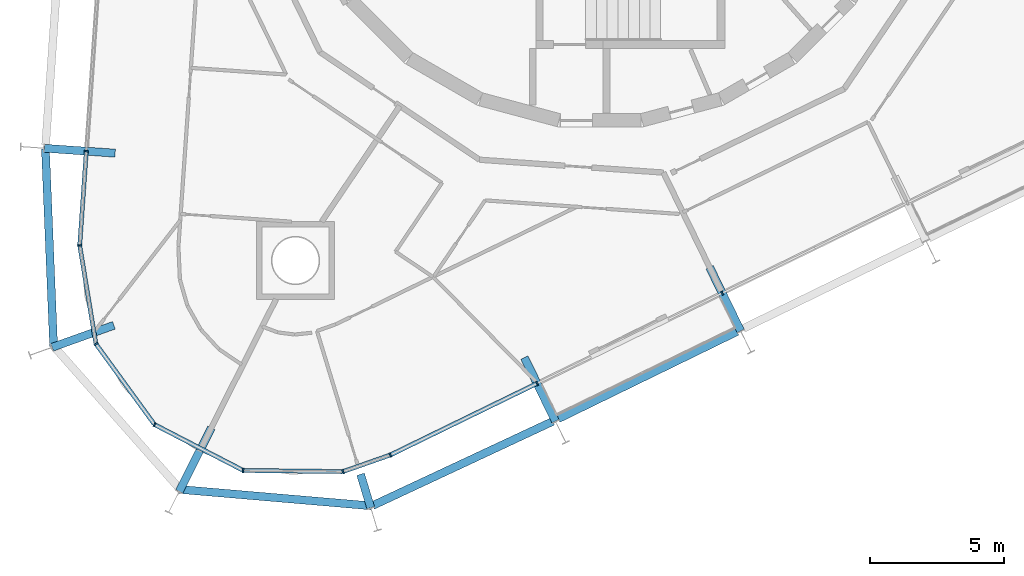
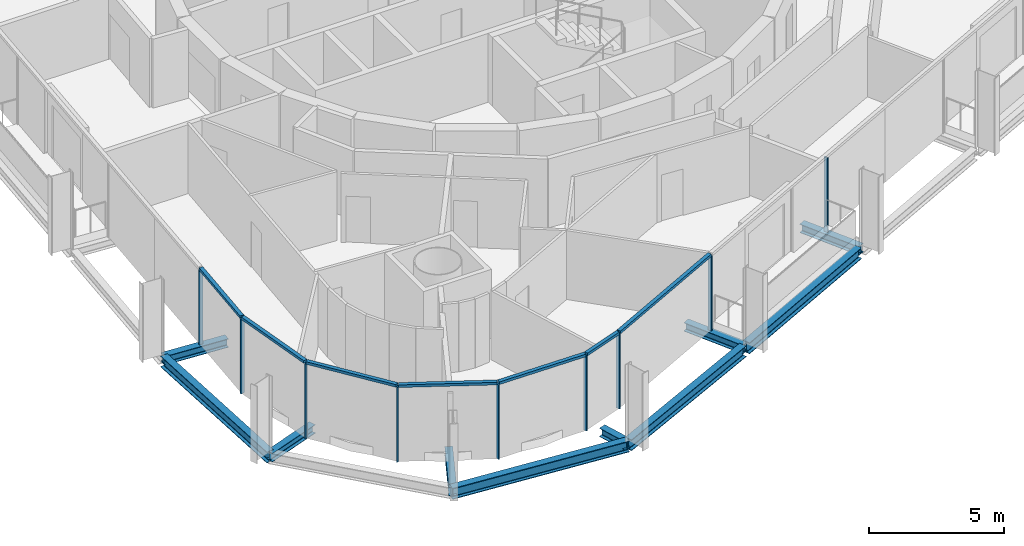
# One storey, part 2 of 17: 16 members, 10 beams, 2 elements without a shape of their own.
"""IFC4 building model written with IfcOpenShell, lengths in metres."""

from ifc_helpers import new_model, si_unit, direction, frame, origin, origin_2d, place, context, subcontext, project, spatial, rectangle, i_section, extrude, material, layer, layer_set, material_profile, profile_set, type_object, element, aggregate, save


model = new_model("IFC4")

# Units and contexts
model_context = context("Model", 3, precision=1e-05, world=origin(), true_north=direction((0.0, 1.0)))
body_context = subcontext(model_context, "Body", "Model", "MODEL_VIEW")
ifc_project = project(units=[si_unit("LENGTHUNIT", "METRE"), si_unit("AREAUNIT", "SQUARE_METRE"), si_unit("VOLUMEUNIT", "CUBIC_METRE"), si_unit("PLANEANGLEUNIT", "RADIAN"), si_unit("MASSUNIT", "GRAM", prefix="KILO")], contexts=[model_context])

# Site, building, storey
site_placement = place(None, origin())
site = spatial("IfcSite", under=ifc_project, at=site_placement, CompositionType="ELEMENT")
building_placement = place(site_placement, origin())
building = spatial("IfcBuilding", under=site, at=building_placement, Name="Spindle Arch Residences", CompositionType="ELEMENT")
storey_placement = place(building_placement, frame((0.0, 0.0, 209.39990234375)))
storey = spatial("IfcBuildingStorey", under=building, at=storey_placement, Name="L53", CompositionType="ELEMENT", Elevation=209.39990234375)

# Curtain wall, members
ifc_material_1 = material(Name="Aluminium bronze unitised frame with tinted glass", Category="aluminium")
ifc_layer_1 = layer(ifc_material_1, 0.159912109375)
ifc_layer_set_1 = layer_set([ifc_layer_1], Name="CW-D corner wall on the fillet arcs")
curtain_wall_type_1 = type_object("IfcCurtainWallType", Name="CW-D corner wall on the fillet arcs", PredefinedType="NOTDEFINED", material=ifc_layer_set_1)
curtain_wall_1_placement = place(storey_placement, origin())
curtain_wall_1 = element("IfcCurtainWall", 1, at=curtain_wall_1_placement, inside=storey, type_object=curtain_wall_type_1, Name="CW-D L53 run 5", PredefinedType="NOTDEFINED")
ifc_material_2 = material(Name="Aluminium bronze anodised mullion", Category="aluminium")
ifc_material_profile_1 = material_profile(ifc_material_2, rectangle(XDim=0.159912109375, YDim=0.06005859375, at=origin_2d()), Name="MU 60x160")
ifc_profile_set_1 = profile_set([ifc_material_profile_1], Name="Aluminium bronze anodised mullion")
member_type_1 = type_object("IfcMemberType", Name="Bronze mullion 60x160", PredefinedType="MULLION", material=ifc_profile_set_1)
member_1_placement = place(storey_placement, frame((-19.2001953125, -12.796875, -0.3798828125), z_axis=(0.0, 0.0, 1.0), x_axis=(0.99756405026, -0.069756473744, 0.0)))
member_1 = element("IfcMember", 2, at=member_1_placement, type_object=member_type_1, Name="CW-D mullion 00", PredefinedType="MULLION", context=body_context, shape_type="SweptSolid", body=[
    extrude(rectangle(XDim=0.159912109375, YDim=0.06005859375, at=origin_2d()), origin(), (0.0, 0.0, 1.0), 3.3798828125),
])
member_2_placement = place(storey_placement, frame((-19.4462890625, -16.31689453125, -0.3798828125), z_axis=(0.0, 0.0, 1.0), x_axis=(0.986761531666, 0.162177925821, 0.0)))
member_2 = element("IfcMember", 3, at=member_2_placement, type_object=member_type_1, Name="CW-D mullion 01", PredefinedType="MULLION", context=body_context, shape_type="SweptSolid", body=[
    extrude(rectangle(XDim=0.159912109375, YDim=0.06005859375, at=origin_2d()), origin(), (0.0, 0.0, 1.0), 3.3798828125),
])
member_3_placement = place(storey_placement, frame((-18.842041015625, -19.994140625, -0.3798828125), z_axis=(0.0, 0.0, 1.0), x_axis=(0.809016992641, 0.587785254679, 0.0)))
member_3 = element("IfcMember", 4, at=member_3_placement, type_object=member_type_1, Name="CW-D mullion 02", PredefinedType="MULLION", context=body_context, shape_type="SweptSolid", body=[
    extrude(rectangle(XDim=0.159912109375, YDim=0.06005859375, at=origin_2d()), origin(), (0.0, 0.0, 1.0), 3.3798828125),
])
member_4_placement = place(storey_placement, frame((-16.6513671875, -23.00927734375, -0.3798828125), z_axis=(0.0, 0.0, 1.0), x_axis=(0.459166453025, 0.88835025098, 0.0)))
member_4 = element("IfcMember", 5, at=member_4_placement, type_object=member_type_1, Name="CW-D mullion 03", PredefinedType="MULLION", context=body_context, shape_type="SweptSolid", body=[
    extrude(rectangle(XDim=0.159912109375, YDim=0.06005859375, at=origin_2d()), origin(), (0.0, 0.0, 1.0), 3.3798828125),
])
member_5_placement = place(storey_placement, frame((-13.3408203125, -24.720458984375, -0.3798828125), z_axis=(0.0, 0.0, 1.0), x_axis=(0.011635263346, 0.999932308032, 0.0)))
member_5 = element("IfcMember", 6, at=member_5_placement, type_object=member_type_1, Name="CW-D mullion 04", PredefinedType="MULLION", context=body_context, shape_type="SweptSolid", body=[
    extrude(rectangle(XDim=0.159912109375, YDim=0.06005859375, at=origin_2d()), origin(), (0.0, 0.0, 1.0), 3.3798828125),
])
member_6_placement = place(storey_placement, frame((-9.6142578125, -24.763916015625, -0.3798828125), z_axis=(0.0, 0.0, 1.0), x_axis=(-0.33106342198, 0.943608504957, 0.0)))
member_6 = element("IfcMember", 7, at=member_6_placement, type_object=member_type_1, Name="CW-D mullion 05", PredefinedType="MULLION", context=body_context, shape_type="SweptSolid", body=[
    extrude(rectangle(XDim=0.159912109375, YDim=0.06005859375, at=origin_2d()), origin(), (0.0, 0.0, 1.0), 3.3798828125),
])
member_7_placement = place(storey_placement, frame((-7.843994140625, -24.142822265625, -0.3798828125), z_axis=(0.0, 0.0, 1.0), x_axis=(-0.438371146789, 0.898794046299, 0.0)))
member_7 = element("IfcMember", 8, at=member_7_placement, type_object=member_type_1, Name="CW-D mullion 06", PredefinedType="MULLION", context=body_context, shape_type="SweptSolid", body=[
    extrude(rectangle(XDim=0.159912109375, YDim=0.06005859375, at=origin_2d()), origin(), (0.0, 0.0, 1.0), 3.3798828125),
])

ifc_material_3 = material(Name="Aluminium bronze unitised frame with tinted glass", Category="aluminium")
ifc_layer_2 = layer(ifc_material_3, 0.159912109375)
ifc_layer_set_2 = layer_set([ifc_layer_2], Name="CW-C typical residential unitised wall")
curtain_wall_type_2 = type_object("IfcCurtainWallType", Name="CW-C typical residential unitised wall", PredefinedType="NOTDEFINED", material=ifc_layer_set_2)
curtain_wall_2_placement = place(storey_placement, origin())
curtain_wall_2 = element("IfcCurtainWall", 9, at=curtain_wall_2_placement, inside=storey, type_object=curtain_wall_type_2, Name="CW-C L53 run 6", PredefinedType="NOTDEFINED")
member_8_placement = place(storey_placement, frame((-2.36767578125, -21.4716796875, -0.3798828125), z_axis=(0.0, 0.0, 1.0), x_axis=(-0.438371146789, 0.898794046299, 0.0)))
member_8 = element("IfcMember", 10, at=member_8_placement, type_object=member_type_1, Name="CW-C mullion 20", PredefinedType="MULLION", context=body_context, shape_type="SweptSolid", body=[
    extrude(rectangle(XDim=0.159912109375, YDim=0.06005859375, at=origin_2d()), origin(), (0.0, 0.0, 1.0), 3.3798828125),
])
member_9_placement = place(storey_placement, frame((4.54736328125, -18.09912109375, -0.3798828125), z_axis=(0.0, 0.0, 1.0), x_axis=(-0.438371146789, 0.898794046299, 0.0)))
member_9 = element("IfcMember", 11, at=member_9_placement, type_object=member_type_1, Name="CW-C mullion 21", PredefinedType="MULLION", context=body_context, shape_type="SweptSolid", body=[
    extrude(rectangle(XDim=0.159912109375, YDim=0.06005859375, at=origin_2d()), origin(), (0.0, 0.0, 1.0), 3.3798828125),
])
aggregate(curtain_wall_2, [member_8, member_9])

# Member
ifc_material_4 = material(Name="Aluminium bronze anodised transom", Category="aluminium")
ifc_material_profile_2 = material_profile(ifc_material_4, rectangle(XDim=0.159912109375, YDim=0.1201171875, at=origin_2d()), Name="TR 120x160")
ifc_profile_set_2 = profile_set([ifc_material_profile_2], Name="Aluminium bronze anodised transom")
member_type_2 = type_object("IfcMemberType", Name="Bronze transom 120x160", PredefinedType="USERDEFINED", material=ifc_profile_set_2)
member_10_placement = place(storey_placement, frame((-19.202392578125, -12.826904296875, 3.06005859375), z_axis=(-0.069756279092, -0.997564063871, 0.0), x_axis=(0.997564063871, -0.069756279092, 0.0)))
member_10 = element("IfcMember", 12, at=member_10_placement, type_object=member_type_2, Name="CW-D transom 00", ObjectType="TRANSOM", PredefinedType="USERDEFINED", context=body_context, shape_type="SweptSolid", body=[
    extrude(rectangle(XDim=0.159912109375, YDim=0.1201171875, at=origin_2d()), origin(), (0.0, 0.0, 1.0), 3.468505859375),
])

member_11_placement = place(storey_placement, frame((-19.44140625, -16.346435546875, 3.06005859375), z_axis=(0.162131110814, -0.986769224746, 0.0), x_axis=(0.986769224746, 0.162131110814, 0.0)))
member_11 = element("IfcMember", 13, at=member_11_placement, type_object=member_type_2, Name="CW-D transom 01", ObjectType="TRANSOM", PredefinedType="USERDEFINED", context=body_context, shape_type="SweptSolid", body=[
    extrude(rectangle(XDim=0.159912109375, YDim=0.1201171875, at=origin_2d()), origin(), (0.0, 0.0, 1.0), 3.666748046875),
])

member_12_placement = place(storey_placement, frame((-18.82421875, -20.0185546875, 3.06005859375), z_axis=(0.587807403161, -0.809000900363, 0.0), x_axis=(0.809000900363, 0.587807403161, 0.0)))
member_12 = element("IfcMember", 14, at=member_12_placement, type_object=member_type_2, Name="CW-D transom 02", ObjectType="TRANSOM", PredefinedType="USERDEFINED", context=body_context, shape_type="SweptSolid", body=[
    extrude(rectangle(XDim=0.159912109375, YDim=0.1201171875, at=origin_2d()), origin(), (0.0, 0.0, 1.0), 3.666748046875),
])

member_13_placement = place(storey_placement, frame((-16.624755859375, -23.02294921875, 3.06005859375), z_axis=(0.888327233371, -0.459210982503, 0.0), x_axis=(0.459210982503, 0.888327233371, 0.0)))
member_13 = element("IfcMember", 15, at=member_13_placement, type_object=member_type_2, Name="CW-D transom 03", ObjectType="TRANSOM", PredefinedType="USERDEFINED", context=body_context, shape_type="SweptSolid", body=[
    extrude(rectangle(XDim=0.159912109375, YDim=0.1201171875, at=origin_2d()), origin(), (0.0, 0.0, 1.0), 3.666748046875),
])

member_14_placement = place(storey_placement, frame((-13.310791015625, -24.720703125, 3.06005859375), z_axis=(0.999932114398, -0.011651892397, 0.0), x_axis=(0.011651892397, 0.999932114398, 0.0)))
member_14 = element("IfcMember", 16, at=member_14_placement, type_object=member_type_2, Name="CW-D transom 04", ObjectType="TRANSOM", PredefinedType="USERDEFINED", context=body_context, shape_type="SweptSolid", body=[
    extrude(rectangle(XDim=0.159912109375, YDim=0.1201171875, at=origin_2d()), origin(), (0.0, 0.0, 1.0), 3.666748046875),
])

member_15_placement = place(storey_placement, frame((-9.5859375, -24.75390625, 3.06005859375), z_axis=(0.943591876762, 0.331110812432, 0.0), x_axis=(-0.331110812432, 0.943591876762, 0.0)))
member_15 = element("IfcMember", 17, at=member_15_placement, type_object=member_type_2, Name="CW-D transom 05", ObjectType="TRANSOM", PredefinedType="USERDEFINED", context=body_context, shape_type="SweptSolid", body=[
    extrude(rectangle(XDim=0.159912109375, YDim=0.1201171875, at=origin_2d()), origin(), (0.0, 0.0, 1.0), 1.816162109375),
])

member_16_placement = place(storey_placement, frame((-7.81689453125, -24.129638671875, 3.06005859375), z_axis=(0.898786724344, 0.438386158704, 0.0), x_axis=(-0.438386158704, 0.898786724344, 0.0)))
member_16 = element("IfcMember", 18, at=member_16_placement, type_object=member_type_2, Name="CW-D transom 06", ObjectType="TRANSOM", PredefinedType="USERDEFINED", context=body_context, shape_type="SweptSolid", body=[
    extrude(rectangle(XDim=0.159912109375, YDim=0.1201171875, at=origin_2d()), origin(), (0.0, 0.0, 1.0), 6.032958984375),
])

aggregate(curtain_wall_1, [member_1, member_10, member_2, member_11, member_3, member_12, member_4, member_13, member_5, member_14, member_6, member_15, member_7, member_16])

# Beams
ifc_material_5 = material(Name="Steel S460ML, intumescent coating R 120", Category="steel")
ifc_material_profile_3 = material_profile(ifc_material_5, i_section(OverallWidth=0.300048828125, OverallDepth=0.5, WebThickness=0.014404296875, FlangeThickness=0.028076171875, FilletRadius=0.027099609375, at=origin_2d()), Name="HEB 500")
ifc_profile_set_3 = profile_set([ifc_material_profile_3], Name="Steel S460ML, intumescent coating R 120")
beam_type_1 = type_object("IfcBeamType", Name="Exoskeleton edge beam HEB 500", PredefinedType="BEAM", material=ifc_profile_set_3)
beam_1_placement = place(storey_placement, frame((-20.724609375, -12.719482421875, -0.6298828125), z_axis=(0.041509189308, -0.999138122185, 0.0), x_axis=(0.999138122185, 0.041509189308, 0.0)))
element("IfcBeam", 19, at=beam_1_placement, inside=storey, type_object=beam_type_1, Name="Exoskeleton edge beam 17", PredefinedType="BEAM", context=body_context, shape_type="SweptSolid", body=[
    extrude(i_section(OverallWidth=0.300048828125, OverallDepth=0.5, WebThickness=0.014404296875, FlangeThickness=0.028076171875, FilletRadius=0.027099609375, at=origin_2d()), origin(), (0.0, 0.0, 1.0), 7.36376953125),
])
beam_2_placement = place(storey_placement, frame((-15.7568359375, -25.42431640625, -0.6298828125), z_axis=(0.996340259924, -0.085475648313, 0.0), x_axis=(0.085475648313, 0.996340259924, 0.0)))
element("IfcBeam", 20, at=beam_2_placement, inside=storey, type_object=beam_type_1, Name="Exoskeleton edge beam 19", PredefinedType="BEAM", context=body_context, shape_type="SweptSolid", body=[
    extrude(i_section(OverallWidth=0.300048828125, OverallDepth=0.5, WebThickness=0.014404296875, FlangeThickness=0.028076171875, FilletRadius=0.027099609375, at=origin_2d()), origin(), (0.0, 0.0, 1.0), 7.249267578125),
])
beam_3_placement = place(storey_placement, frame((-8.508056640625, -26.0322265625, -0.6298828125), z_axis=(0.905883990605, 0.423525908966, 0.0), x_axis=(-0.423525908966, 0.905883990605, 0.0)))
element("IfcBeam", 21, at=beam_3_placement, inside=storey, type_object=beam_type_1, Name="Exoskeleton edge beam 20", PredefinedType="BEAM", context=body_context, shape_type="SweptSolid", body=[
    extrude(i_section(OverallWidth=0.300048828125, OverallDepth=0.5, WebThickness=0.014404296875, FlangeThickness=0.028076171875, FilletRadius=0.027099609375, at=origin_2d()), origin(), (0.0, 0.0, 1.0), 7.42822265625),
])
beam_4_placement = place(storey_placement, frame((-1.580078125, -22.789794921875, -0.6298828125), z_axis=(0.898804110297, 0.438350511935, 0.0), x_axis=(-0.438350511935, 0.898804110297, 0.0)))
element("IfcBeam", 22, at=beam_4_placement, inside=storey, type_object=beam_type_1, Name="Exoskeleton edge beam 21", PredefinedType="BEAM", context=body_context, shape_type="SweptSolid", body=[
    extrude(i_section(OverallWidth=0.300048828125, OverallDepth=0.5, WebThickness=0.014404296875, FlangeThickness=0.028076171875, FilletRadius=0.027099609375, at=origin_2d()), origin(), (0.0, 0.0, 1.0), 7.43359375),
])
ifc_material_6 = material(Name="Steel S460ML, intumescent coating R 120", Category="steel")
ifc_material_profile_4 = material_profile(ifc_material_6, i_section(OverallWidth=0.300048828125, OverallDepth=0.389892578125, WebThickness=0.010986328125, FlangeThickness=0.01904296875, FilletRadius=0.027099609375, at=origin_2d()), Name="HEA 400")
ifc_profile_set_4 = profile_set([ifc_material_profile_4], Name="Steel S460ML, intumescent coating R 120")
beam_type_2 = type_object("IfcBeamType", Name="Floor outrigger HEA 400", PredefinedType="BEAM", material=ifc_profile_set_4)
beam_5_placement = place(storey_placement, frame((-20.766357421875, -12.6875, -0.574951171875), z_axis=(0.997565124092, -0.069741115528, 0.0), x_axis=(0.069741115528, 0.997565124092, 0.0)))
element("IfcBeam", 23, at=beam_5_placement, inside=storey, type_object=beam_type_2, Name="Floor outrigger 17", PredefinedType="BEAM", context=body_context, shape_type="SweptSolid", body=[
    extrude(i_section(OverallWidth=0.300048828125, OverallDepth=0.389892578125, WebThickness=0.010986328125, FlangeThickness=0.01904296875, FilletRadius=0.027099609375, at=origin_2d()), origin(), (0.0, 0.0, 1.0), 2.64990234375),
])
beam_6_placement = place(storey_placement, frame((-20.475341796875, -20.1220703125, -0.574951171875), z_axis=(0.941908704104, 0.335869011868, 0.0), x_axis=(-0.335869011868, 0.941908704104, 0.0)))
element("IfcBeam", 24, at=beam_6_placement, inside=storey, type_object=beam_type_2, Name="Floor outrigger 18", PredefinedType="BEAM", context=body_context, shape_type="SweptSolid", body=[
    extrude(i_section(OverallWidth=0.300048828125, OverallDepth=0.389892578125, WebThickness=0.010986328125, FlangeThickness=0.01904296875, FilletRadius=0.027099609375, at=origin_2d()), origin(), (0.0, 0.0, 1.0), 2.448974609375),
])
beam_7_placement = place(storey_placement, frame((-15.725830078125, -25.49951171875, -0.574951171875), z_axis=(0.449717951116, 0.893170624486, 0.0), x_axis=(-0.893170624486, 0.449717951116, 0.0)))
element("IfcBeam", 25, at=beam_7_placement, inside=storey, type_object=beam_type_2, Name="Floor outrigger 19", PredefinedType="BEAM", context=body_context, shape_type="SweptSolid", body=[
    extrude(i_section(OverallWidth=0.300048828125, OverallDepth=0.389892578125, WebThickness=0.010986328125, FlangeThickness=0.01904296875, FilletRadius=0.027099609375, at=origin_2d()), origin(), (0.0, 0.0, 1.0), 2.649658203125),
])
beam_8_placement = place(storey_placement, frame((-8.57763671875, -26.11279296875, -0.574951171875), z_axis=(-0.291027903823, 0.956714565164, 0.0), x_axis=(-0.956714565164, -0.291027903823, 0.0)))
element("IfcBeam", 26, at=beam_8_placement, inside=storey, type_object=beam_type_2, Name="Floor outrigger 20", PredefinedType="BEAM", context=body_context, shape_type="SweptSolid", body=[
    extrude(i_section(OverallWidth=0.300048828125, OverallDepth=0.389892578125, WebThickness=0.010986328125, FlangeThickness=0.01904296875, FilletRadius=0.027099609375, at=origin_2d()), origin(), (0.0, 0.0, 1.0), 1.307861328125),
])
for number, where, z_axis, x_axis, name in (
    (27, (-1.679443359375, -22.8828125, -0.574951171875), (-0.438347395329, 0.898805630272, 0.0), (-0.898805630272, -0.438347395329, 0.0), "Floor outrigger 21"),
    (28, (5.235595703125, -19.510009765625, -0.574951171875), (-0.438383695602, 0.898787925725, 0.0), (-0.898787925725, -0.438383695602, 0.0), "Floor outrigger 22"),
):
    element("IfcBeam", number, at=place(storey_placement, frame(where, z_axis=z_axis, x_axis=x_axis)), inside=storey, type_object=beam_type_2, Name=name, PredefinedType="BEAM", context=body_context, shape_type="SweptSolid", body=[
        extrude(i_section(OverallWidth=0.300048828125, OverallDepth=0.389892578125, WebThickness=0.010986328125, FlangeThickness=0.01904296875, FilletRadius=0.027099609375, at=origin_2d()), origin(), (0.0, 0.0, 1.0), 2.64990234375),
    ])

save(model, "model.ifc")
